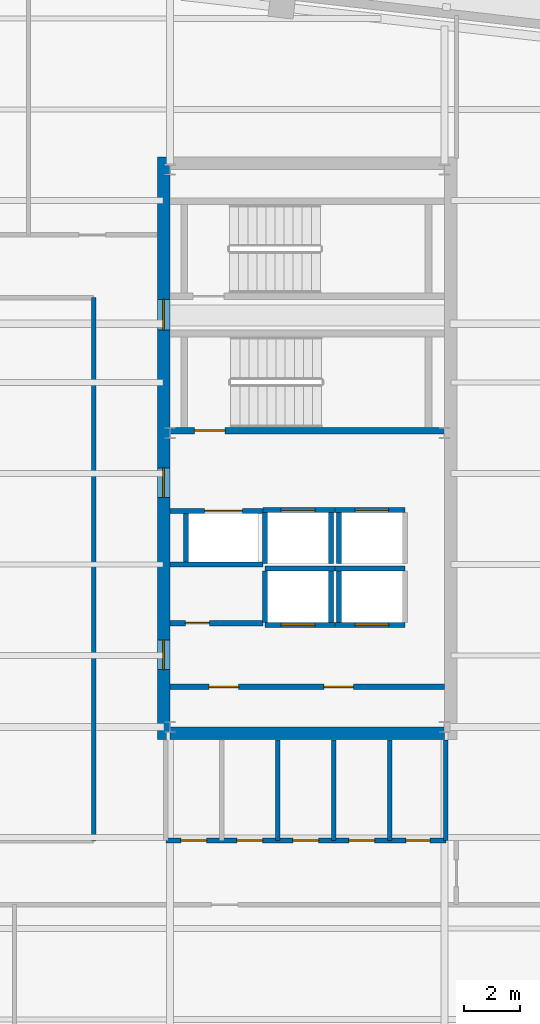
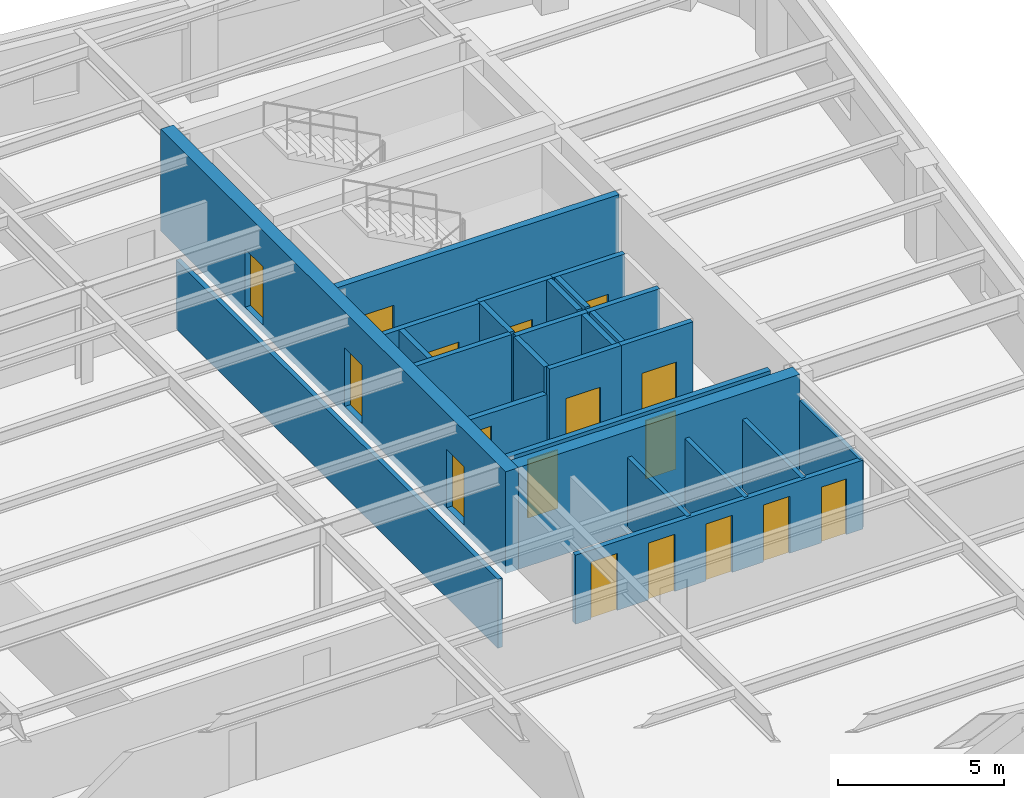
# One storey, part 7 of 13: 26 walls, 17 doors, 17 openings.
"""IFC4 building model written with IfcOpenShell, lengths in metres."""

from ifc_helpers import new_model, si_unit, direction, frame, frame_2d, origin, place, context, subcontext, project, spatial, rectangle, extrude, material, layer, layer_set, type_object, element, fill, save


model = new_model("IFC4")

# Units and contexts
model_context = context("Model", 3, precision=1e-05, world=origin(), true_north=direction((0.0, 1.0)))
body_context = subcontext(model_context, "Body", "Model", "MODEL_VIEW")
ifc_project = project(units=[si_unit("LENGTHUNIT", "METRE"), si_unit("AREAUNIT", "SQUARE_METRE"), si_unit("VOLUMEUNIT", "CUBIC_METRE"), si_unit("PLANEANGLEUNIT", "RADIAN"), si_unit("MASSUNIT", "GRAM", prefix="KILO")], contexts=[model_context])

# Site, building, storey
site_placement = place(None, origin())
site = spatial("IfcSite", under=ifc_project, at=site_placement, CompositionType="ELEMENT")
building_placement = place(site_placement, origin())
building = spatial("IfcBuilding", under=site, at=building_placement, Name="Kolvaren Arena Tower", CompositionType="ELEMENT")
storey_placement = place(building_placement, frame((0.0, 0.0, 254.699951171875)))
storey = spatial("IfcBuildingStorey", under=building, at=storey_placement, Name="L62", CompositionType="ELEMENT", Elevation=254.699951171875)

# Wall
ifc_material_1 = material(Name="Gypsum board acoustic assembly", Category="gypsum")
ifc_layer_1 = layer(ifc_material_1, 0.159912109375)
ifc_layer_set_1 = layer_set([ifc_layer_1], Name="Gypsum board acoustic assembly")
wall_type_1 = type_object("IfcWallType", Name="CORR-160", PredefinedType="PARTITIONING", material=ifc_layer_set_1)
wall_1_placement = place(storey_placement, frame((47.820068359375, 15.3798828125, 0.0), z_axis=(0.0, 0.0, 1.0), x_axis=(0.0, 1.0, 0.0)))
element("IfcWall", 1, at=wall_1_placement, inside=storey, type_object=wall_type_1, Name="Interior Partition Wall (L62)", PredefinedType="PARTITIONING", context=body_context, shape_type="SweptSolid", body=[
    extrude(rectangle(XDim=19.400146484375, YDim=0.159912109375, at=frame_2d((9.7001953125, 0.0))), origin(), (0.0, 0.0, 1.0), 2.5400390625),
])

# Wall, openings, doors
ifc_material_2 = material(Name="Concrete 55 MPa", Category="concrete")
ifc_layer_2 = layer(ifc_material_2, 0.449951171875)
ifc_layer_set_2 = layer_set([ifc_layer_2], Name="Concrete 55 MPa")
wall_type_2 = type_object("IfcWallType", Name="CWALL-450", PredefinedType="SHEAR", material=ifc_layer_set_2)
wall_2_placement = place(storey_placement, frame((50.324951171875, 19.0, -0.27001953125), z_axis=(0.0, 0.0, 1.0), x_axis=(0.0, 1.0, 0.0)))
wall_2 = element("IfcWall", 2, at=wall_2_placement, inside=storey, type_object=wall_type_2, Name="Core Shear Wall EC-WEST (L62)", PredefinedType="SHEAR", context=body_context, shape_type="SweptSolid", body=[
    extrude(rectangle(XDim=20.800048828125, YDim=0.449951171875, at=frame_2d((10.39990234375, 0.0))), origin(), (0.0, 0.0, 1.0), 3.75),
])
opening_1_placement = place(wall_2_placement, frame((2.5, 0.0, 0.27001953125)))
opening_1 = element("IfcOpeningElement", 3, at=opening_1_placement, cuts=wall_2, Name="Opening D04", PredefinedType="OPENING", context=body_context, shape_type="SweptSolid", body=[
    extrude(rectangle(XDim=1.050048828125, YDim=2.14990234375, at=frame_2d((0.52490234375, 1.074951171875))), frame((0.0, 0.23486328125, 0.0), z_axis=(0.0, -1.0, 0.0), x_axis=(1.0, 0.0, 0.0)), (0.0, 0.0, 1.0), 0.469970703125),
])
opening_2_placement = place(wall_2_placement, frame((8.64990234375, 0.0, 0.27001953125)))
opening_2 = element("IfcOpeningElement", 4, at=opening_2_placement, cuts=wall_2, Name="Opening D04", PredefinedType="OPENING", context=body_context, shape_type="SweptSolid", body=[
    extrude(rectangle(XDim=1.050048828125, YDim=2.14990234375, at=frame_2d((0.52490234375, 1.074951171875))), frame((0.0, 0.23486328125, 0.0), z_axis=(0.0, -1.0, 0.0), x_axis=(1.0, 0.0, 0.0)), (0.0, 0.0, 1.0), 0.469970703125),
])
opening_3_placement = place(wall_2_placement, frame((14.6201171875, 0.0, 0.27001953125)))
opening_3 = element("IfcOpeningElement", 5, at=opening_3_placement, cuts=wall_2, Name="Opening D03", PredefinedType="OPENING", context=body_context, shape_type="SweptSolid", body=[
    extrude(rectangle(XDim=1.10009765625, YDim=2.14990234375, at=frame_2d((0.550048828125, 1.074951171875))), frame((0.0, 0.23486328125, 0.0), z_axis=(0.0, -1.0, 0.0), x_axis=(1.0, 0.0, 0.0)), (0.0, 0.0, 1.0), 0.469970703125),
])
ifc_material_3 = material(Name="Fire-rated steel lobby door", Category="steel")
door_type_1 = type_object("IfcDoorType", Name="DOOR-FF-105", OperationType="NOTDEFINED", PredefinedType="DOOR", material=ifc_material_3)
door_1_placement = place(opening_1_placement, origin())
door_1 = element("IfcDoor", 6, at=door_1_placement, inside=storey, type_object=door_type_1, Name="East Lift Lobby Fire Door (L62)", OperationType="SINGLE_SWING_RIGHT", OverallHeight=2.14990234375, OverallWidth=1.050048828125, PredefinedType="DOOR", context=body_context, shape_type="SweptSolid", body=[
    extrude(rectangle(XDim=1.050048828125, YDim=2.14990234375, at=frame_2d((0.52490234375, 1.074951171875))), frame((0.0, 0.02490234375, 0.0), z_axis=(0.0, -1.0, 0.0), x_axis=(1.0, 0.0, 0.0)), (0.0, 0.0, 1.0), 0.050048828125),
])
fill(opening_1, door_1)
door_2_placement = place(opening_2_placement, origin())
door_2 = element("IfcDoor", 7, at=door_2_placement, inside=storey, type_object=door_type_1, Name="East Firefighter Vestibule Door (L62)", OperationType="SINGLE_SWING_LEFT", OverallHeight=2.14990234375, OverallWidth=1.050048828125, PredefinedType="DOOR", context=body_context, shape_type="SweptSolid", body=[
    extrude(rectangle(XDim=1.050048828125, YDim=2.14990234375, at=frame_2d((0.52490234375, 1.074951171875))), frame((0.0, 0.02490234375, 0.0), z_axis=(0.0, -1.0, 0.0), x_axis=(1.0, 0.0, 0.0)), (0.0, 0.0, 1.0), 0.050048828125),
])
fill(opening_2, door_2)
ifc_material_4 = material(Name="Fire-rated steel exit stair door", Category="steel")
door_type_2 = type_object("IfcDoorType", Name="DOOR-ST-110", OperationType="NOTDEFINED", PredefinedType="DOOR", material=ifc_material_4)
door_3_placement = place(opening_3_placement, origin())
door_3 = element("IfcDoor", 8, at=door_3_placement, inside=storey, type_object=door_type_2, Name="Stair ST-E2 Vestibule Fire Door (L62)", OperationType="SINGLE_SWING_LEFT", OverallHeight=2.14990234375, OverallWidth=1.10009765625, PredefinedType="DOOR", context=body_context, shape_type="SweptSolid", body=[
    extrude(rectangle(XDim=1.10009765625, YDim=2.14990234375, at=frame_2d((0.550048828125, 1.074951171875))), frame((0.0, 0.02490234375, 0.0), z_axis=(0.0, -1.0, 0.0), x_axis=(1.0, 0.0, 0.0)), (0.0, 0.0, 1.0), 0.050048828125),
])
fill(opening_3, door_3)

# Wall
wall_3_placement = place(storey_placement, frame((50.550048828125, 19.22509765625, -0.27001953125), z_axis=(0.0, 0.0, 1.0), x_axis=(1.0, 0.0, 0.0)))
element("IfcWall", 9, at=wall_3_placement, inside=storey, type_object=wall_type_2, Name="Core Shear Wall EC-SOUTH (L62)", PredefinedType="SHEAR", context=body_context, shape_type="SweptSolid", body=[
    extrude(rectangle(XDim=9.800048828125, YDim=0.449951171875, at=frame_2d((4.89990234375, 0.0))), origin(), (0.0, 0.0, 1.0), 3.75),
])

# Wall, openings, doors
ifc_material_5 = material(Name="Concrete 40 MPa", Category="concrete")
ifc_layer_3 = layer(ifc_material_5, 0.199951171875)
ifc_layer_set_3 = layer_set([ifc_layer_3], Name="Concrete 40 MPa")
wall_type_3 = type_object("IfcWallType", Name="LOBBY-200", PredefinedType="SOLIDWALL", material=ifc_layer_set_3)
wall_4_placement = place(storey_placement, frame((50.550048828125, 20.8798828125, 0.0), z_axis=(0.0, 0.0, 1.0), x_axis=(1.0, 0.0, 0.0)))
wall_4 = element("IfcWall", 10, at=wall_4_placement, inside=storey, type_object=wall_type_3, Name="Core Shaft Wall (L62)", PredefinedType="SOLIDWALL", context=body_context, shape_type="SweptSolid", body=[
    extrude(rectangle(XDim=9.800048828125, YDim=0.199951171875, at=frame_2d((4.89990234375, 0.0))), origin(), (0.0, 0.0, 1.0), 2.5400390625),
])
opening_4_placement = place(wall_4_placement, frame((1.39990234375, 0.0, 0.0)))
opening_4 = element("IfcOpeningElement", 11, at=opening_4_placement, cuts=wall_4, Name="Opening D04", PredefinedType="OPENING", context=body_context, shape_type="SweptSolid", body=[
    extrude(rectangle(XDim=1.050048828125, YDim=2.14990234375, at=frame_2d((0.52490234375, 1.074951171875))), frame((0.0, 0.10986328125, 0.0), z_axis=(0.0, -1.0, 0.0), x_axis=(1.0, 0.0, 0.0)), (0.0, 0.0, 1.0), 0.219970703125),
])
opening_5_placement = place(wall_4_placement, frame((5.5, 0.0, 0.0)))
opening_5 = element("IfcOpeningElement", 12, at=opening_5_placement, cuts=wall_4, Name="Opening D04", PredefinedType="OPENING", context=body_context, shape_type="SweptSolid", body=[
    extrude(rectangle(XDim=1.050048828125, YDim=2.14990234375, at=frame_2d((0.52490234375, 1.074951171875))), frame((0.0, 0.10986328125, 0.0), z_axis=(0.0, -1.0, 0.0), x_axis=(1.0, 0.0, 0.0)), (0.0, 0.0, 1.0), 0.219970703125),
])
door_4_placement = place(opening_4_placement, origin())
door_4 = element("IfcDoor", 13, at=door_4_placement, inside=storey, type_object=door_type_1, Name="East Telecom Room Fire Door (L62)", OperationType="SINGLE_SWING_RIGHT", OverallHeight=2.14990234375, OverallWidth=1.050048828125, PredefinedType="DOOR", context=body_context, shape_type="SweptSolid", body=[
    extrude(rectangle(XDim=1.050048828125, YDim=2.14990234375, at=frame_2d((0.52490234375, 1.074951171875))), frame((0.0, 0.02490234375, 0.0), z_axis=(0.0, -1.0, 0.0), x_axis=(1.0, 0.0, 0.0)), (0.0, 0.0, 1.0), 0.050048828125),
])
fill(opening_4, door_4)
door_5_placement = place(opening_5_placement, origin())
door_5 = element("IfcDoor", 14, at=door_5_placement, inside=storey, type_object=door_type_1, Name="East Records Room Fire Door (L62)", OperationType="SINGLE_SWING_LEFT", OverallHeight=2.14990234375, OverallWidth=1.050048828125, PredefinedType="DOOR", context=body_context, shape_type="SweptSolid", body=[
    extrude(rectangle(XDim=1.050048828125, YDim=2.14990234375, at=frame_2d((0.52490234375, 1.074951171875))), frame((0.0, 0.02490234375, 0.0), z_axis=(0.0, -1.0, 0.0), x_axis=(1.0, 0.0, 0.0)), (0.0, 0.0, 1.0), 0.050048828125),
])
fill(opening_5, door_5)

# Wall, opening, door
wall_5_placement = place(storey_placement, frame((50.550048828125, 23.159912109375, 0.0), z_axis=(0.0, 0.0, 1.0), x_axis=(1.0, 0.0, 0.0)))
wall_5 = element("IfcWall", 15, at=wall_5_placement, inside=storey, type_object=wall_type_3, Name="Core Shaft Wall (L62)", PredefinedType="SOLIDWALL", context=body_context, shape_type="SweptSolid", body=[
    extrude(rectangle(XDim=3.329833984375, YDim=0.199951171875, at=frame_2d((1.6650390625, 0.0))), origin(), (0.0, 0.0, 1.0), 2.5400390625),
])
opening_6_placement = place(wall_5_placement, frame((0.550048828125, 0.0, 0.0)))
opening_6 = element("IfcOpeningElement", 16, at=opening_6_placement, cuts=wall_5, Name="Opening D09", PredefinedType="OPENING", context=body_context, shape_type="SweptSolid", body=[
    extrude(rectangle(XDim=0.860107421875, YDim=2.050048828125, at=frame_2d((0.43017578125, 1.02490234375))), frame((0.0, 0.10986328125, 0.0), z_axis=(0.0, -1.0, 0.0), x_axis=(1.0, 0.0, 0.0)), (0.0, 0.0, 1.0), 0.219970703125),
])
ifc_material_6 = material(Name="Fire-rated steel riser access door", Category="steel")
door_type_3 = type_object("IfcDoorType", Name="DOOR-RS-086", OperationType="NOTDEFINED", PredefinedType="DOOR", material=ifc_material_6)
door_6_placement = place(opening_6_placement, origin())
door_6 = element("IfcDoor", 17, at=door_6_placement, inside=storey, type_object=door_type_3, Name="East AV Riser Closet Door (L62)", OperationType="SINGLE_SWING_LEFT", OverallHeight=2.050048828125, OverallWidth=0.860107421875, PredefinedType="DOOR", context=body_context, shape_type="SweptSolid", body=[
    extrude(rectangle(XDim=0.860107421875, YDim=2.050048828125, at=frame_2d((0.43017578125, 1.02490234375))), frame((0.0, 0.02490234375, 0.0), z_axis=(0.0, -1.0, 0.0), x_axis=(1.0, 0.0, 0.0)), (0.0, 0.0, 1.0), 0.050048828125),
])
fill(opening_6, door_6)

ifc_material_7 = material(Name="Concrete 45 MPa", Category="concrete")
ifc_layer_4 = layer(ifc_material_7, 0.25)
ifc_layer_set_4 = layer_set([ifc_layer_4], Name="Concrete 45 MPa")
wall_type_4 = type_object("IfcWallType", Name="SHAFT-250", PredefinedType="SOLIDWALL", material=ifc_layer_set_4)
wall_6_placement = place(storey_placement, frame((60.35009765625, 30.030029296875, 0.0), z_axis=(0.0, 0.0, 1.0), x_axis=(-1.0, 0.0, 0.0)))
wall_6 = element("IfcWall", 18, at=wall_6_placement, inside=storey, type_object=wall_type_4, Name="Core Shaft Wall (L62)", PredefinedType="SOLIDWALL", context=body_context, shape_type="SweptSolid", body=[
    extrude(rectangle(XDim=9.800048828125, YDim=0.239990234375, at=frame_2d((4.89990234375, 0.0))), origin(), (0.0, 0.0, 1.0), 3.47998046875),
])
opening_7_placement = place(wall_6_placement, frame((7.830078125, 0.0, 0.0)))
opening_7 = element("IfcOpeningElement", 19, at=opening_7_placement, cuts=wall_6, Name="Opening D03", PredefinedType="OPENING", context=body_context, shape_type="SweptSolid", body=[
    extrude(rectangle(XDim=1.10009765625, YDim=2.14990234375, at=frame_2d((0.550048828125, 1.074951171875))), frame((0.0, 0.1298828125, 0.0), z_axis=(0.0, -1.0, 0.0), x_axis=(1.0, 0.0, 0.0)), (0.0, 0.0, 1.0), 0.260009765625),
])
door_7_placement = place(opening_7_placement, origin())
door_7 = element("IfcDoor", 20, at=door_7_placement, inside=storey, type_object=door_type_2, Name="Stair ST-E1 Fire Door (L62)", OperationType="SINGLE_SWING_LEFT", OverallHeight=2.14990234375, OverallWidth=1.10009765625, PredefinedType="DOOR", context=body_context, shape_type="SweptSolid", body=[
    extrude(rectangle(XDim=1.10009765625, YDim=2.14990234375, at=frame_2d((0.550048828125, 1.074951171875))), frame((0.0, 0.02490234375, 0.0), z_axis=(0.0, -1.0, 0.0), x_axis=(1.0, 0.0, 0.0)), (0.0, 0.0, 1.0), 0.050048828125),
])
fill(opening_7, door_7)

# Wall
wall_7_placement = place(storey_placement, frame((53.93994140625, 25.10498046875, 0.0), z_axis=(0.0, 0.0, 1.0), x_axis=(1.0, 0.0, 0.0)))
element("IfcWall", 21, at=wall_7_placement, inside=storey, type_object=wall_type_4, Name="Core Shaft Wall (L62)", PredefinedType="SOLIDWALL", context=body_context, shape_type="SweptSolid", body=[
    extrude(rectangle(XDim=2.5, YDim=0.179931640625, at=frame_2d((1.25, 0.0))), origin(), (0.0, 0.0, 1.0), 3.47998046875),
])

# Wall, opening, door
wall_8_placement = place(storey_placement, frame((53.93994140625, 23.094970703125, 0.0), z_axis=(0.0, 0.0, 1.0), x_axis=(1.0, 0.0, 0.0)))
wall_8 = element("IfcWall", 22, at=wall_8_placement, inside=storey, type_object=wall_type_4, Name="Core Shaft Wall (L62)", PredefinedType="SOLIDWALL", context=body_context, shape_type="SweptSolid", body=[
    extrude(rectangle(XDim=2.5, YDim=0.179931640625, at=frame_2d((1.25, 0.0))), origin(), (0.0, 0.0, 1.0), 3.47998046875),
])
opening_8_placement = place(wall_8_placement, frame((0.580078125, 0.0, 0.0)))
opening_8 = element("IfcOpeningElement", 23, at=opening_8_placement, cuts=wall_8, Name="Opening LD1", PredefinedType="OPENING", context=body_context, shape_type="SweptSolid", body=[
    extrude(rectangle(XDim=1.199951171875, YDim=2.199951171875, at=frame_2d((0.60009765625, 1.10009765625))), frame((0.0, 0.099853515625, 0.0), z_axis=(0.0, -1.0, 0.0), x_axis=(1.0, 0.0, 0.0)), (0.0, 0.0, 1.0), 0.199951171875),
])
ifc_material_8 = material(Name="Stainless steel passenger lift landing door", Category="steel")
door_type_4 = type_object("IfcDoorType", Name="DOOR-LD-120", OperationType="DOUBLE_DOOR_SLIDING", PredefinedType="DOOR", material=ifc_material_8)
door_8_placement = place(opening_8_placement, origin())
door_8 = element("IfcDoor", 24, at=door_8_placement, inside=storey, type_object=door_type_4, Name="Lift EL-HR1 Landing Door (L62)", OperationType="DOUBLE_DOOR_SLIDING", OverallHeight=2.199951171875, OverallWidth=1.199951171875, PredefinedType="DOOR", context=body_context, shape_type="SweptSolid", body=[
    extrude(rectangle(XDim=1.199951171875, YDim=2.199951171875, at=frame_2d((0.60009765625, 1.10009765625))), frame((0.0, 0.02490234375, 0.0), z_axis=(0.0, -1.0, 0.0), x_axis=(1.0, 0.0, 0.0)), (0.0, 0.0, 1.0), 0.050048828125),
])
fill(opening_8, door_8)

# Walls
for number, where, z_axis, x_axis, name in (
    (25, (53.93994140625, 23.18505859375, 0.0), (0.0, 0.0, 1.0), (0.0, 1.0, 0.0), "Core Shaft Wall (L62)"),
    (26, (56.300048828125, 23.18505859375, 0.0), (0.0, 0.0, 1.0), (0.0, 1.0, 0.0), "Core Shaft Wall (L62)"),
):
    element("IfcWall", number, at=place(storey_placement, frame(where, z_axis=z_axis, x_axis=x_axis)), inside=storey, type_object=wall_type_4, Name=name, PredefinedType="SOLIDWALL", context=body_context, shape_type="SweptSolid", body=[
        extrude(rectangle(XDim=1.829833984375, YDim=0.179931640625, at=frame_2d((0.9150390625, 0.0))), origin(), (0.0, 0.0, 1.0), 3.47998046875),
    ])
wall_9_placement = place(storey_placement, frame((56.43994140625, 25.10498046875, 0.0), z_axis=(0.0, 0.0, 1.0), x_axis=(1.0, 0.0, 0.0)))
element("IfcWall", 27, at=wall_9_placement, inside=storey, type_object=wall_type_4, Name="Core Shaft Wall (L62)", PredefinedType="SOLIDWALL", context=body_context, shape_type="SweptSolid", body=[
    extrude(rectangle(XDim=2.5, YDim=0.179931640625, at=frame_2d((1.25, 0.0))), origin(), (0.0, 0.0, 1.0), 3.47998046875),
])

# Wall, opening, door
wall_10_placement = place(storey_placement, frame((56.43994140625, 23.094970703125, 0.0), z_axis=(0.0, 0.0, 1.0), x_axis=(1.0, 0.0, 0.0)))
wall_10 = element("IfcWall", 28, at=wall_10_placement, inside=storey, type_object=wall_type_4, Name="Core Shaft Wall (L62)", PredefinedType="SOLIDWALL", context=body_context, shape_type="SweptSolid", body=[
    extrude(rectangle(XDim=2.5, YDim=0.179931640625, at=frame_2d((1.25, 0.0))), origin(), (0.0, 0.0, 1.0), 3.47998046875),
])
opening_9_placement = place(wall_10_placement, frame((0.719970703125, 0.0, 0.0)))
opening_9 = element("IfcOpeningElement", 29, at=opening_9_placement, cuts=wall_10, Name="Opening LD1", PredefinedType="OPENING", context=body_context, shape_type="SweptSolid", body=[
    extrude(rectangle(XDim=1.199951171875, YDim=2.199951171875, at=frame_2d((0.60009765625, 1.10009765625))), frame((0.0, 0.099853515625, 0.0), z_axis=(0.0, -1.0, 0.0), x_axis=(1.0, 0.0, 0.0)), (0.0, 0.0, 1.0), 0.199951171875),
])
door_9_placement = place(opening_9_placement, origin())
door_9 = element("IfcDoor", 30, at=door_9_placement, inside=storey, type_object=door_type_4, Name="Lift EL-HR2 Landing Door (L62)", OperationType="DOUBLE_DOOR_SLIDING", OverallHeight=2.199951171875, OverallWidth=1.199951171875, PredefinedType="DOOR", context=body_context, shape_type="SweptSolid", body=[
    extrude(rectangle(XDim=1.199951171875, YDim=2.199951171875, at=frame_2d((0.60009765625, 1.10009765625))), frame((0.0, 0.02490234375, 0.0), z_axis=(0.0, -1.0, 0.0), x_axis=(1.0, 0.0, 0.0)), (0.0, 0.0, 1.0), 0.050048828125),
])
fill(opening_9, door_9)

# Wall
wall_11_placement = place(storey_placement, frame((56.580078125, 23.18505859375, 0.0), z_axis=(0.0, 0.0, 1.0), x_axis=(0.0, 1.0, 0.0)))
element("IfcWall", 31, at=wall_11_placement, inside=storey, type_object=wall_type_4, Name="Core Shaft Wall (L62)", PredefinedType="SOLIDWALL", context=body_context, shape_type="SweptSolid", body=[
    extrude(rectangle(XDim=1.829833984375, YDim=0.179931640625, at=frame_2d((0.9150390625, 0.0))), origin(), (0.0, 0.0, 1.0), 3.47998046875),
])

# Wall, opening, door
wall_12_placement = place(storey_placement, frame((53.864990234375, 27.205078125, 0.0), z_axis=(0.0, 0.0, 1.0), x_axis=(1.0, 0.0, 0.0)))
wall_12 = element("IfcWall", 32, at=wall_12_placement, inside=storey, type_object=wall_type_4, Name="Core Shaft Wall (L62)", PredefinedType="SOLIDWALL", context=body_context, shape_type="SweptSolid", body=[
    extrude(rectangle(XDim=2.574951171875, YDim=0.179931640625, at=frame_2d((1.28759765625, 0.0))), origin(), (0.0, 0.0, 1.0), 3.47998046875),
])
opening_10_placement = place(wall_12_placement, frame((0.655029296875, 0.0, 0.0)))
opening_10 = element("IfcOpeningElement", 33, at=opening_10_placement, cuts=wall_12, Name="Opening LD1", PredefinedType="OPENING", context=body_context, shape_type="SweptSolid", body=[
    extrude(rectangle(XDim=1.199951171875, YDim=2.199951171875, at=frame_2d((0.60009765625, 1.10009765625))), frame((0.0, 0.099853515625, 0.0), z_axis=(0.0, -1.0, 0.0), x_axis=(1.0, 0.0, 0.0)), (0.0, 0.0, 1.0), 0.199951171875),
])
door_10_placement = place(opening_10_placement, origin())
door_10 = element("IfcDoor", 34, at=door_10_placement, inside=storey, type_object=door_type_4, Name="Lift EL-HR3 Landing Door (L62)", OperationType="DOUBLE_DOOR_SLIDING", OverallHeight=2.199951171875, OverallWidth=1.199951171875, PredefinedType="DOOR", context=body_context, shape_type="SweptSolid", body=[
    extrude(rectangle(XDim=1.199951171875, YDim=2.199951171875, at=frame_2d((0.60009765625, 1.10009765625))), frame((0.0, 0.02490234375, 0.0), z_axis=(0.0, -1.0, 0.0), x_axis=(1.0, 0.0, 0.0)), (0.0, 0.0, 1.0), 0.050048828125),
])
fill(opening_10, door_10)

# Walls
for number, where, z_axis, x_axis, name in (
    (35, (53.93994140625, 25.284912109375, 0.0), (0.0, 0.0, 1.0), (0.0, 1.0, 0.0), "Core Shaft Wall (L62)"),
    (36, (56.300048828125, 25.284912109375, 0.0), (0.0, 0.0, 1.0), (0.0, 1.0, 0.0), "Core Shaft Wall (L62)"),
):
    element("IfcWall", number, at=place(storey_placement, frame(where, z_axis=z_axis, x_axis=x_axis)), inside=storey, type_object=wall_type_4, Name=name, PredefinedType="SOLIDWALL", context=body_context, shape_type="SweptSolid", body=[
        extrude(rectangle(XDim=1.830078125, YDim=0.179931640625, at=frame_2d((0.9150390625, 0.0))), origin(), (0.0, 0.0, 1.0), 3.47998046875),
    ])

# Wall, opening, door
wall_13_placement = place(storey_placement, frame((56.43994140625, 27.205078125, 0.0), z_axis=(0.0, 0.0, 1.0), x_axis=(1.0, 0.0, 0.0)))
wall_13 = element("IfcWall", 37, at=wall_13_placement, inside=storey, type_object=wall_type_4, Name="Core Shaft Wall (L62)", PredefinedType="SOLIDWALL", context=body_context, shape_type="SweptSolid", body=[
    extrude(rectangle(XDim=2.5, YDim=0.179931640625, at=frame_2d((1.25, 0.0))), origin(), (0.0, 0.0, 1.0), 3.47998046875),
])
opening_11_placement = place(wall_13_placement, frame((0.719970703125, 0.0, 0.0)))
opening_11 = element("IfcOpeningElement", 38, at=opening_11_placement, cuts=wall_13, Name="Opening LD1", PredefinedType="OPENING", context=body_context, shape_type="SweptSolid", body=[
    extrude(rectangle(XDim=1.199951171875, YDim=2.199951171875, at=frame_2d((0.60009765625, 1.10009765625))), frame((0.0, 0.099853515625, 0.0), z_axis=(0.0, -1.0, 0.0), x_axis=(1.0, 0.0, 0.0)), (0.0, 0.0, 1.0), 0.199951171875),
])
door_11_placement = place(opening_11_placement, origin())
door_11 = element("IfcDoor", 39, at=door_11_placement, inside=storey, type_object=door_type_4, Name="Lift EL-HR4 Landing Door (L62)", OperationType="DOUBLE_DOOR_SLIDING", OverallHeight=2.199951171875, OverallWidth=1.199951171875, PredefinedType="DOOR", context=body_context, shape_type="SweptSolid", body=[
    extrude(rectangle(XDim=1.199951171875, YDim=2.199951171875, at=frame_2d((0.60009765625, 1.10009765625))), frame((0.0, 0.02490234375, 0.0), z_axis=(0.0, -1.0, 0.0), x_axis=(1.0, 0.0, 0.0)), (0.0, 0.0, 1.0), 0.050048828125),
])
fill(opening_11, door_11)

# Wall
wall_14_placement = place(storey_placement, frame((56.580078125, 25.284912109375, 0.0), z_axis=(0.0, 0.0, 1.0), x_axis=(0.0, 1.0, 0.0)))
element("IfcWall", 40, at=wall_14_placement, inside=storey, type_object=wall_type_4, Name="Core Shaft Wall (L62)", PredefinedType="SOLIDWALL", context=body_context, shape_type="SweptSolid", body=[
    extrude(rectangle(XDim=1.830078125, YDim=0.179931640625, at=frame_2d((0.9150390625, 0.0))), origin(), (0.0, 0.0, 1.0), 3.47998046875),
])

# Wall, opening, door
wall_15_placement = place(storey_placement, frame((50.550048828125, 27.155029296875, 0.0), z_axis=(0.0, 0.0, 1.0), x_axis=(1.0, 0.0, 0.0)))
wall_15 = element("IfcWall", 41, at=wall_15_placement, inside=storey, type_object=wall_type_4, Name="Core Shaft Wall (L62)", PredefinedType="SOLIDWALL", context=body_context, shape_type="SweptSolid", body=[
    extrude(rectangle(XDim=3.31494140625, YDim=0.179931640625, at=frame_2d((1.657470703125, 0.0))), origin(), (0.0, 0.0, 1.0), 3.47998046875),
])
opening_12_placement = place(wall_15_placement, frame((1.235107421875, 0.0, 0.0)))
opening_12 = element("IfcOpeningElement", 42, at=opening_12_placement, cuts=wall_15, Name="Opening LD2", PredefinedType="OPENING", context=body_context, shape_type="SweptSolid", body=[
    extrude(rectangle(XDim=1.35009765625, YDim=2.300048828125, at=frame_2d((0.675048828125, 1.14990234375))), frame((0.0, 0.099853515625, 0.0), z_axis=(0.0, -1.0, 0.0), x_axis=(1.0, 0.0, 0.0)), (0.0, 0.0, 1.0), 0.199951171875),
])
ifc_material_9 = material(Name="Stainless steel firefighter lift landing door", Category="steel")
door_type_5 = type_object("IfcDoorType", Name="DOOR-LD-135", OperationType="DOUBLE_DOOR_SLIDING", PredefinedType="DOOR", material=ifc_material_9)
door_12_placement = place(opening_12_placement, origin())
door_12 = element("IfcDoor", 43, at=door_12_placement, inside=storey, type_object=door_type_5, Name="Firefighter Lift FF-E1 Landing Door (L62)", OperationType="DOUBLE_DOOR_SLIDING", OverallHeight=2.300048828125, OverallWidth=1.35009765625, PredefinedType="DOOR", context=body_context, shape_type="SweptSolid", body=[
    extrude(rectangle(XDim=1.35009765625, YDim=2.300048828125, at=frame_2d((0.675048828125, 1.14990234375))), frame((0.0, 0.02490234375, 0.0), z_axis=(0.0, -1.0, 0.0), x_axis=(1.0, 0.0, 0.0)), (0.0, 0.0, 1.0), 0.050048828125),
])
fill(opening_12, door_12)

# Walls
wall_16_placement = place(storey_placement, frame((50.550048828125, 25.2451171875, 0.0), z_axis=(0.0, 0.0, 1.0), x_axis=(1.0, 0.0, 0.0)))
element("IfcWall", 44, at=wall_16_placement, inside=storey, type_object=wall_type_4, Name="Core Shaft Wall (L62)", PredefinedType="SOLIDWALL", context=body_context, shape_type="SweptSolid", body=[
    extrude(rectangle(XDim=3.31494140625, YDim=0.179931640625, at=frame_2d((1.657470703125, 0.0))), origin(), (0.0, 0.0, 1.0), 3.47998046875),
])
wall_17_placement = place(storey_placement, frame((51.1298828125, 25.3349609375, 0.0), z_axis=(0.0, 0.0, 1.0), x_axis=(0.0, 1.0, 0.0)))
element("IfcWall", 45, at=wall_17_placement, inside=storey, type_object=wall_type_4, Name="Core Shaft Wall (L62)", PredefinedType="SOLIDWALL", context=body_context, shape_type="SweptSolid", body=[
    extrude(rectangle(XDim=1.72998046875, YDim=0.179931640625, at=frame_2d((0.864990234375, 0.0))), origin(), (0.0, 0.0, 1.0), 3.47998046875),
])

# Wall, openings, doors
wall_18_placement = place(storey_placement, frame((50.39990234375, 15.39990234375, 0.0), z_axis=(0.0, 0.0, 1.0), x_axis=(1.0, 0.0, 0.0)))
wall_18 = element("IfcWall", 46, at=wall_18_placement, inside=storey, type_object=wall_type_4, Name="Interior Partition Wall (L62)", PredefinedType="SOLIDWALL", context=body_context, shape_type="SweptSolid", body=[
    extrude(rectangle(XDim=10.0, YDim=0.179931640625, at=frame_2d((5.0, 0.0))), origin(), (0.0, 0.0, 1.0), 2.5400390625),
])
opening_13_placement = place(wall_18_placement, frame((0.5400390625, 0.0, 0.0)))
opening_13 = element("IfcOpeningElement", 47, at=opening_13_placement, cuts=wall_18, Name="Opening D07", PredefinedType="OPENING", context=body_context, shape_type="SweptSolid", body=[
    extrude(rectangle(XDim=0.919921875, YDim=2.10009765625, at=frame_2d((0.4599609375, 1.050048828125))), frame((0.0, 0.099853515625, 0.0), z_axis=(0.0, -1.0, 0.0), x_axis=(1.0, 0.0, 0.0)), (0.0, 0.0, 1.0), 0.199951171875),
])
opening_14_placement = place(wall_18_placement, frame((2.5400390625, 0.0, 0.0)))
opening_14 = element("IfcOpeningElement", 48, at=opening_14_placement, cuts=wall_18, Name="Opening D07", PredefinedType="OPENING", context=body_context, shape_type="SweptSolid", body=[
    extrude(rectangle(XDim=0.919921875, YDim=2.10009765625, at=frame_2d((0.4599609375, 1.050048828125))), frame((0.0, 0.099853515625, 0.0), z_axis=(0.0, -1.0, 0.0), x_axis=(1.0, 0.0, 0.0)), (0.0, 0.0, 1.0), 0.199951171875),
])
opening_15_placement = place(wall_18_placement, frame((4.5400390625, 0.0, 0.0)))
opening_15 = element("IfcOpeningElement", 49, at=opening_15_placement, cuts=wall_18, Name="Opening D07", PredefinedType="OPENING", context=body_context, shape_type="SweptSolid", body=[
    extrude(rectangle(XDim=0.919921875, YDim=2.10009765625, at=frame_2d((0.4599609375, 1.050048828125))), frame((0.0, 0.099853515625, 0.0), z_axis=(0.0, -1.0, 0.0), x_axis=(1.0, 0.0, 0.0)), (0.0, 0.0, 1.0), 0.199951171875),
])
opening_16_placement = place(wall_18_placement, frame((6.5400390625, 0.0, 0.0)))
opening_16 = element("IfcOpeningElement", 50, at=opening_16_placement, cuts=wall_18, Name="Opening D07", PredefinedType="OPENING", context=body_context, shape_type="SweptSolid", body=[
    extrude(rectangle(XDim=0.919921875, YDim=2.10009765625, at=frame_2d((0.4599609375, 1.050048828125))), frame((0.0, 0.099853515625, 0.0), z_axis=(0.0, -1.0, 0.0), x_axis=(1.0, 0.0, 0.0)), (0.0, 0.0, 1.0), 0.199951171875),
])
opening_17_placement = place(wall_18_placement, frame((8.570068359375, 0.0, 0.0)))
opening_17 = element("IfcOpeningElement", 51, at=opening_17_placement, cuts=wall_18, Name="Opening D09", PredefinedType="OPENING", context=body_context, shape_type="SweptSolid", body=[
    extrude(rectangle(XDim=0.860107421875, YDim=2.050048828125, at=frame_2d((0.43017578125, 1.02490234375))), frame((0.0, 0.099853515625, 0.0), z_axis=(0.0, -1.0, 0.0), x_axis=(1.0, 0.0, 0.0)), (0.0, 0.0, 1.0), 0.199951171875),
])
door_13_placement = place(opening_17_placement, origin())
door_13 = element("IfcDoor", 52, at=door_13_placement, inside=storey, type_object=door_type_3, Name="Telecom Riser Closet Door (L62)", OperationType="SINGLE_SWING_RIGHT", OverallHeight=2.050048828125, OverallWidth=0.860107421875, PredefinedType="DOOR", context=body_context, shape_type="SweptSolid", body=[
    extrude(rectangle(XDim=0.860107421875, YDim=2.050048828125, at=frame_2d((0.43017578125, 1.02490234375))), frame((0.0, 0.02490234375, 0.0), z_axis=(0.0, -1.0, 0.0), x_axis=(1.0, 0.0, 0.0)), (0.0, 0.0, 1.0), 0.050048828125),
])
fill(opening_17, door_13)
ifc_material_10 = material(Name="Laminate universal washroom door", Category="wood")
door_type_6 = type_object("IfcDoorType", Name="DOOR-WC-092", OperationType="NOTDEFINED", PredefinedType="DOOR", material=ifc_material_10)
door_14_placement = place(opening_13_placement, origin())
door_14 = element("IfcDoor", 53, at=door_14_placement, inside=storey, type_object=door_type_6, Name="First Aid Store Door (L62)", OperationType="SINGLE_SWING_RIGHT", OverallHeight=2.10009765625, OverallWidth=0.919921875, PredefinedType="DOOR", context=body_context, shape_type="SweptSolid", body=[
    extrude(rectangle(XDim=0.919921875, YDim=2.10009765625, at=frame_2d((0.4599609375, 1.050048828125))), frame((0.0, 0.02490234375, 0.0), z_axis=(0.0, -1.0, 0.0), x_axis=(1.0, 0.0, 0.0)), (0.0, 0.0, 1.0), 0.050048828125),
])
fill(opening_13, door_14)
door_15_placement = place(opening_14_placement, origin())
door_15 = element("IfcDoor", 54, at=door_15_placement, inside=storey, type_object=door_type_6, Name="Cleaner and Janitor Store Door (L62)", OperationType="SINGLE_SWING_LEFT", OverallHeight=2.10009765625, OverallWidth=0.919921875, PredefinedType="DOOR", context=body_context, shape_type="SweptSolid", body=[
    extrude(rectangle(XDim=0.919921875, YDim=2.10009765625, at=frame_2d((0.4599609375, 1.050048828125))), frame((0.0, 0.02490234375, 0.0), z_axis=(0.0, -1.0, 0.0), x_axis=(1.0, 0.0, 0.0)), (0.0, 0.0, 1.0), 0.050048828125),
])
fill(opening_14, door_15)
door_16_placement = place(opening_15_placement, origin())
door_16 = element("IfcDoor", 55, at=door_16_placement, inside=storey, type_object=door_type_6, Name="Staff Pantry Door (L62)", OperationType="SINGLE_SWING_RIGHT", OverallHeight=2.10009765625, OverallWidth=0.919921875, PredefinedType="DOOR", context=body_context, shape_type="SweptSolid", body=[
    extrude(rectangle(XDim=0.919921875, YDim=2.10009765625, at=frame_2d((0.4599609375, 1.050048828125))), frame((0.0, 0.02490234375, 0.0), z_axis=(0.0, -1.0, 0.0), x_axis=(1.0, 0.0, 0.0)), (0.0, 0.0, 1.0), 0.050048828125),
])
fill(opening_15, door_16)
door_17_placement = place(opening_16_placement, origin())
door_17 = element("IfcDoor", 56, at=door_17_placement, inside=storey, type_object=door_type_6, Name="Gender-Neutral Washroom Door (L62)", OperationType="SINGLE_SWING_LEFT", OverallHeight=2.10009765625, OverallWidth=0.919921875, PredefinedType="DOOR", context=body_context, shape_type="SweptSolid", body=[
    extrude(rectangle(XDim=0.919921875, YDim=2.10009765625, at=frame_2d((0.4599609375, 1.050048828125))), frame((0.0, 0.02490234375, 0.0), z_axis=(0.0, -1.0, 0.0), x_axis=(1.0, 0.0, 0.0)), (0.0, 0.0, 1.0), 0.050048828125),
])
fill(opening_16, door_17)

# Walls
ifc_material_11 = material(Name="Moisture-resistant gypsum assembly", Category="gypsum")
ifc_layer_5 = layer(ifc_material_11, 0.14990234375)
ifc_layer_set_5 = layer_set([ifc_layer_5], Name="Moisture-resistant gypsum assembly")
wall_type_5 = type_object("IfcWallType", Name="WETW-150", PredefinedType="PARTITIONING", material=ifc_layer_set_5)
for number, where, z_axis, x_axis, name in (
    (57, (54.39990234375, 15.39990234375, 0.0), (0.0, 0.0, 1.0), (0.0, 1.0, 0.0), "Interior Partition Wall (L62)"),
    (58, (56.39990234375, 15.39990234375, 0.0), (0.0, 0.0, 1.0), (0.0, 1.0, 0.0), "Interior Partition Wall (L62)"),
    (59, (58.39990234375, 15.39990234375, 0.0), (0.0, 0.0, 1.0), (0.0, 1.0, 0.0), "Interior Partition Wall (L62)"),
    (60, (60.39990234375, 15.39990234375, 0.0), (0.0, 0.0, 1.0), (0.0, 1.0, 0.0), "Interior Partition Wall (L62)"),
):
    element("IfcWall", number, at=place(storey_placement, frame(where, z_axis=z_axis, x_axis=x_axis)), inside=storey, type_object=wall_type_5, Name=name, PredefinedType="PARTITIONING", context=body_context, shape_type="SweptSolid", body=[
        extrude(rectangle(XDim=3.580078125, YDim=0.14990234375, at=frame_2d((1.7900390625, 0.0))), origin(), (0.0, 0.0, 1.0), 2.5400390625),
    ])

save(model, "model.ifc")
